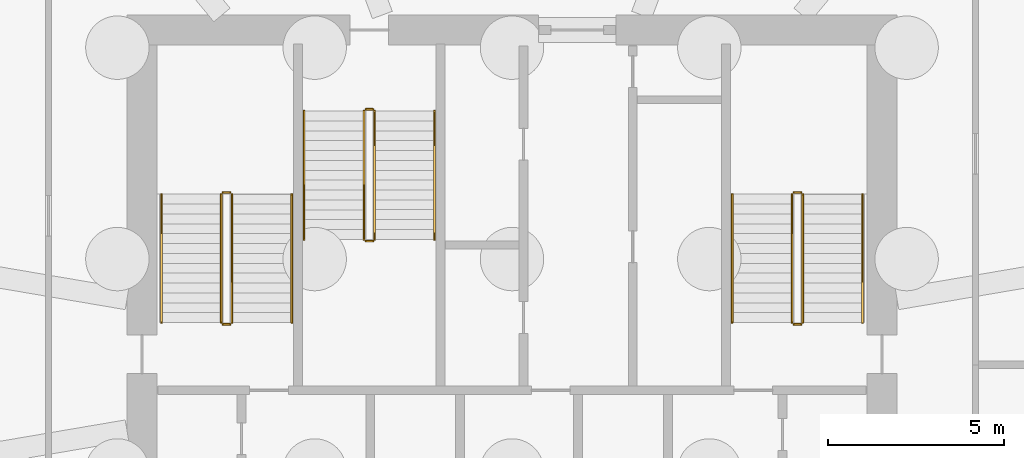
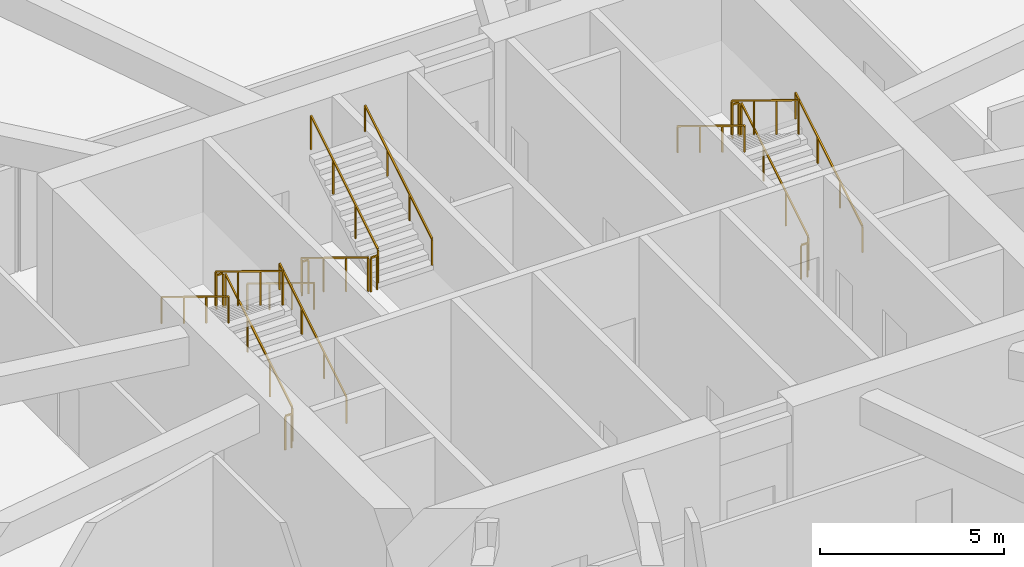
# One storey, part 5 of 5: 18 railings.
"""IFC4 building model written with IfcOpenShell, lengths in metres."""

from ifc_helpers import new_model, si_unit, direction, frame, origin, origin_2d, place, context, subcontext, project, spatial, rectangle, extrude, material, type_object, element, save


model = new_model("IFC4")

# Units and contexts
model_context = context("Model", 3, precision=1e-05, world=origin(), true_north=direction((0.0, 1.0)))
body_context = subcontext(model_context, "Body", "Model", "MODEL_VIEW")
ifc_project = project(units=[si_unit("LENGTHUNIT", "METRE"), si_unit("AREAUNIT", "SQUARE_METRE"), si_unit("VOLUMEUNIT", "CUBIC_METRE"), si_unit("PLANEANGLEUNIT", "RADIAN"), si_unit("MASSUNIT", "GRAM", prefix="KILO")], contexts=[model_context])

# Site, building, storey
site_placement = place(None, origin())
site = spatial("IfcSite", under=ifc_project, at=site_placement, CompositionType="ELEMENT")
building_placement = place(site_placement, origin())
building = spatial("IfcBuilding", under=site, at=building_placement, Name="Zuhravey Tower", CompositionType="ELEMENT")
storey_placement = place(building_placement, frame((0.0, 0.0, -9.60009765625)))
storey = spatial("IfcBuildingStorey", under=building, at=storey_placement, Name="B02", CompositionType="ELEMENT", Elevation=-9.60009765625)

# Railings
ifc_material_1 = material(Name="Brushed stainless steel", Category="steel")
railing_type_1 = type_object("IfcRailingType", Name="Stair Wall Handrail 900", PredefinedType="HANDRAIL", material=ifc_material_1)
railing_1_placement = place(storey_placement, frame((29.75, 33.199951171875, 0.171630859375)))
element("IfcRailing", 1, at=railing_1_placement, inside=storey, type_object=railing_type_1, Name="B02 ST1 stair handrail 1", PredefinedType="HANDRAIL", context=body_context, shape_type="SweptSolid", body=[
    extrude(rectangle(XDim=0.048095703125, YDim=0.048095703125, at=origin_2d()), frame((0.0, 0.001708984375, 0.876953125), z_axis=(0.0, 0.852865859571, 0.52213008492), x_axis=(-1.0, 0.0, 0.0)), (0.0, 0.0, 1.0), 4.26416015625),
    extrude(rectangle(XDim=0.0419921875, YDim=0.0419921875, at=origin_2d()), origin(), (0.0, 0.0, 1.0), 0.849853515625),
    extrude(rectangle(XDim=0.0419921875, YDim=0.0419921875, at=origin_2d()), frame((0.0, 1.21337890625, 0.742919921875)), (0.0, 0.0, 1.0), 0.849853515625),
    extrude(rectangle(XDim=0.0419921875, YDim=0.0419921875, at=origin_2d()), frame((0.0, 2.4267578125, 1.485595703125)), (0.0, 0.0, 1.0), 0.849853515625),
    extrude(rectangle(XDim=0.0419921875, YDim=0.0419921875, at=origin_2d()), frame((0.0, 3.64013671875, 2.228515625)), (0.0, 0.0, 1.0), 0.849853515625),
])
railing_2_placement = place(storey_placement, frame((26.050048828125, 36.840087890625, 2.571533203125)))
element("IfcRailing", 2, at=railing_2_placement, inside=storey, type_object=railing_type_1, Name="B02 ST1 stair handrail 2", PredefinedType="HANDRAIL", context=body_context, shape_type="SweptSolid", body=[
    extrude(rectangle(XDim=0.048095703125, YDim=0.048095703125, at=origin_2d()), frame((0.0, -0.001708984375, 0.876953125), z_axis=(0.0, -0.852865859571, 0.52213008492), x_axis=(1.0, 0.0, 0.0)), (0.0, 0.0, 1.0), 4.26416015625),
    extrude(rectangle(XDim=0.0419921875, YDim=0.0419921875, at=origin_2d()), origin(), (0.0, 0.0, 1.0), 0.849853515625),
    extrude(rectangle(XDim=0.0419921875, YDim=0.0419921875, at=origin_2d()), frame((0.0, -1.21337890625, 0.742919921875)), (0.0, 0.0, 1.0), 0.849853515625),
    extrude(rectangle(XDim=0.0419921875, YDim=0.0419921875, at=origin_2d()), frame((0.0, -2.4267578125, 1.485595703125)), (0.0, 0.0, 1.0), 0.849853515625),
    extrude(rectangle(XDim=0.0419921875, YDim=0.0419921875, at=origin_2d()), frame((0.0, -3.64013671875, 2.228515625)), (0.0, 0.0, 1.0), 0.849853515625),
])
railing_3_placement = place(storey_placement, frame((45.949951171875, 33.199951171875, 0.171630859375)))
element("IfcRailing", 3, at=railing_3_placement, inside=storey, type_object=railing_type_1, Name="B02 ST2 stair handrail 1", PredefinedType="HANDRAIL", context=body_context, shape_type="SweptSolid", body=[
    extrude(rectangle(XDim=0.048095703125, YDim=0.048095703125, at=origin_2d()), frame((0.0, 0.001708984375, 0.876953125), z_axis=(0.0, 0.852865859571, 0.52213008492), x_axis=(-1.0, 0.0, 0.0)), (0.0, 0.0, 1.0), 4.26416015625),
    extrude(rectangle(XDim=0.0419921875, YDim=0.0419921875, at=origin_2d()), origin(), (0.0, 0.0, 1.0), 0.849853515625),
    extrude(rectangle(XDim=0.0419921875, YDim=0.0419921875, at=origin_2d()), frame((0.0, 1.21337890625, 0.742919921875)), (0.0, 0.0, 1.0), 0.849853515625),
    extrude(rectangle(XDim=0.0419921875, YDim=0.0419921875, at=origin_2d()), frame((0.0, 2.4267578125, 1.485595703125)), (0.0, 0.0, 1.0), 0.849853515625),
    extrude(rectangle(XDim=0.0419921875, YDim=0.0419921875, at=origin_2d()), frame((0.0, 3.64013671875, 2.228515625)), (0.0, 0.0, 1.0), 0.849853515625),
])
railing_4_placement = place(storey_placement, frame((42.25, 36.840087890625, 2.571533203125)))
element("IfcRailing", 4, at=railing_4_placement, inside=storey, type_object=railing_type_1, Name="B02 ST2 stair handrail 2", PredefinedType="HANDRAIL", context=body_context, shape_type="SweptSolid", body=[
    extrude(rectangle(XDim=0.048095703125, YDim=0.048095703125, at=origin_2d()), frame((0.0, -0.001708984375, 0.876953125), z_axis=(0.0, -0.852865859571, 0.52213008492), x_axis=(1.0, 0.0, 0.0)), (0.0, 0.0, 1.0), 4.26416015625),
    extrude(rectangle(XDim=0.0419921875, YDim=0.0419921875, at=origin_2d()), origin(), (0.0, 0.0, 1.0), 0.849853515625),
    extrude(rectangle(XDim=0.0419921875, YDim=0.0419921875, at=origin_2d()), frame((0.0, -1.21337890625, 0.742919921875)), (0.0, 0.0, 1.0), 0.849853515625),
    extrude(rectangle(XDim=0.0419921875, YDim=0.0419921875, at=origin_2d()), frame((0.0, -2.4267578125, 1.485595703125)), (0.0, 0.0, 1.0), 0.849853515625),
    extrude(rectangle(XDim=0.0419921875, YDim=0.0419921875, at=origin_2d()), frame((0.0, -3.64013671875, 2.228515625)), (0.0, 0.0, 1.0), 0.849853515625),
])
railing_5_placement = place(storey_placement, frame((30.10009765625, 39.199951171875, 0.171630859375)))
element("IfcRailing", 5, at=railing_5_placement, inside=storey, type_object=railing_type_1, Name="B02 ST3 stair handrail 1", PredefinedType="HANDRAIL", context=body_context, shape_type="SweptSolid", body=[
    extrude(rectangle(XDim=0.048095703125, YDim=0.048095703125, at=origin_2d()), frame((0.0, -0.001708984375, 0.876953125), z_axis=(0.0, -0.852850264322, 0.5221555579), x_axis=(1.0, 0.0, 0.0)), (0.0, 0.0, 1.0), 4.263916015625),
    extrude(rectangle(XDim=0.0419921875, YDim=0.0419921875, at=origin_2d()), origin(), (0.0, 0.0, 1.0), 0.849853515625),
    extrude(rectangle(XDim=0.0419921875, YDim=0.0419921875, at=origin_2d()), frame((0.0, -1.21337890625, 0.742919921875)), (0.0, 0.0, 1.0), 0.849853515625),
    extrude(rectangle(XDim=0.0419921875, YDim=0.0419921875, at=origin_2d()), frame((0.0, -2.426513671875, 1.485595703125)), (0.0, 0.0, 1.0), 0.849853515625),
    extrude(rectangle(XDim=0.0419921875, YDim=0.0419921875, at=origin_2d()), frame((0.0, -3.639892578125, 2.228515625)), (0.0, 0.0, 1.0), 0.849853515625),
])
railing_6_placement = place(storey_placement, frame((33.800048828125, 35.56005859375, 2.571533203125)))
element("IfcRailing", 6, at=railing_6_placement, inside=storey, type_object=railing_type_1, Name="B02 ST3 stair handrail 2", PredefinedType="HANDRAIL", context=body_context, shape_type="SweptSolid", body=[
    extrude(rectangle(XDim=0.048095703125, YDim=0.048095703125, at=origin_2d()), frame((0.0, 0.001708984375, 0.876953125), z_axis=(0.0, 0.852850264322, 0.5221555579), x_axis=(-1.0, 0.0, 0.0)), (0.0, 0.0, 1.0), 4.263916015625),
    extrude(rectangle(XDim=0.0419921875, YDim=0.0419921875, at=origin_2d()), origin(), (0.0, 0.0, 1.0), 0.849853515625),
    extrude(rectangle(XDim=0.0419921875, YDim=0.0419921875, at=origin_2d()), frame((0.0, 1.21337890625, 0.742919921875)), (0.0, 0.0, 1.0), 0.849853515625),
    extrude(rectangle(XDim=0.0419921875, YDim=0.0419921875, at=origin_2d()), frame((0.0, 2.426513671875, 1.485595703125)), (0.0, 0.0, 1.0), 0.849853515625),
    extrude(rectangle(XDim=0.0419921875, YDim=0.0419921875, at=origin_2d()), frame((0.0, 3.639892578125, 2.228515625)), (0.0, 0.0, 1.0), 0.849853515625),
])
ifc_material_2 = material(Name="Painted tubular steel", Category="steel")
railing_type_2 = type_object("IfcRailingType", Name="Stair Well Guardrail 1150", PredefinedType="GUARDRAIL", material=ifc_material_2)
railing_7_placement = place(storey_placement, frame((28.050048828125, 33.199951171875, 0.171630859375)))
element("IfcRailing", 7, at=railing_7_placement, inside=storey, type_object=railing_type_2, Name="B02 ST1 stair guard 1", PredefinedType="GUARDRAIL", context=body_context, shape_type="SweptSolid", body=[
    extrude(rectangle(XDim=0.048095703125, YDim=0.048095703125, at=origin_2d()), frame((0.0, 0.001708984375, 1.126953125), z_axis=(0.0, 0.852865859571, 0.52213008492), x_axis=(-1.0, 0.0, 0.0)), (0.0, 0.0, 1.0), 4.26416015625),
    extrude(rectangle(XDim=0.0419921875, YDim=0.0419921875, at=origin_2d()), origin(), (0.0, 0.0, 1.0), 1.099853515625),
    extrude(rectangle(XDim=0.0419921875, YDim=0.0419921875, at=origin_2d()), frame((0.0, 1.21337890625, 0.742919921875)), (0.0, 0.0, 1.0), 1.099853515625),
    extrude(rectangle(XDim=0.0419921875, YDim=0.0419921875, at=origin_2d()), frame((0.0, 2.4267578125, 1.485595703125)), (0.0, 0.0, 1.0), 1.099853515625),
    extrude(rectangle(XDim=0.0419921875, YDim=0.0419921875, at=origin_2d()), frame((0.0, 3.64013671875, 2.228515625)), (0.0, 0.0, 1.0), 1.099853515625),
])
railing_8_placement = place(storey_placement, frame((28.0, 36.889892578125, 2.400146484375)))
element("IfcRailing", 8, at=railing_8_placement, inside=storey, type_object=railing_type_2, Name="B02 ST1 stair guard 2", PredefinedType="GUARDRAIL", context=body_context, shape_type="SweptSolid", body=[
    extrude(rectangle(XDim=0.048095703125, YDim=0.048095703125, at=origin_2d()), frame((-0.001953125, 0.0, 1.1259765625), z_axis=(-1.0, 0.0, 0.0), x_axis=(0.0, -1.0, 0.0)), (0.0, 0.0, 1.0), 0.196044921875),
    extrude(rectangle(XDim=0.0419921875, YDim=0.0419921875, at=origin_2d()), origin(), (0.0, 0.0, 1.0), 1.099853515625),
    extrude(rectangle(XDim=0.0419921875, YDim=0.0419921875, at=origin_2d()), frame((-0.199951171875, 0.0, 0.0)), (0.0, 0.0, 1.0), 1.099853515625),
])
railing_9_placement = place(storey_placement, frame((27.75, 36.840087890625, 2.571533203125)))
element("IfcRailing", 9, at=railing_9_placement, inside=storey, type_object=railing_type_2, Name="B02 ST1 stair guard 3", PredefinedType="GUARDRAIL", context=body_context, shape_type="SweptSolid", body=[
    extrude(rectangle(XDim=0.048095703125, YDim=0.048095703125, at=origin_2d()), frame((0.0, -0.001708984375, 1.126953125), z_axis=(0.0, -0.852865859571, 0.52213008492), x_axis=(1.0, 0.0, 0.0)), (0.0, 0.0, 1.0), 4.26416015625),
    extrude(rectangle(XDim=0.0419921875, YDim=0.0419921875, at=origin_2d()), origin(), (0.0, 0.0, 1.0), 1.099853515625),
    extrude(rectangle(XDim=0.0419921875, YDim=0.0419921875, at=origin_2d()), frame((0.0, -1.21337890625, 0.742919921875)), (0.0, 0.0, 1.0), 1.099853515625),
    extrude(rectangle(XDim=0.0419921875, YDim=0.0419921875, at=origin_2d()), frame((0.0, -2.4267578125, 1.485595703125)), (0.0, 0.0, 1.0), 1.099853515625),
    extrude(rectangle(XDim=0.0419921875, YDim=0.0419921875, at=origin_2d()), frame((0.0, -3.64013671875, 2.228515625)), (0.0, 0.0, 1.0), 1.099853515625),
])
railing_10_placement = place(storey_placement, frame((28.0, 33.14990234375, 0.0)))
element("IfcRailing", 10, at=railing_10_placement, inside=storey, type_object=railing_type_2, Name="B02 ST1 stair guard 4", PredefinedType="GUARDRAIL", context=body_context, shape_type="SweptSolid", body=[
    extrude(rectangle(XDim=0.048095703125, YDim=0.048095703125, at=origin_2d()), frame((-0.001953125, 0.0, 1.1259765625), z_axis=(-1.0, 0.0, 0.0), x_axis=(0.0, -1.0, 0.0)), (0.0, 0.0, 1.0), 0.196044921875),
    extrude(rectangle(XDim=0.0419921875, YDim=0.0419921875, at=origin_2d()), origin(), (0.0, 0.0, 1.0), 1.099853515625),
    extrude(rectangle(XDim=0.0419921875, YDim=0.0419921875, at=origin_2d()), frame((-0.199951171875, 0.0, 0.0)), (0.0, 0.0, 1.0), 1.099853515625),
])
railing_11_placement = place(storey_placement, frame((44.25, 33.199951171875, 0.171630859375)))
element("IfcRailing", 11, at=railing_11_placement, inside=storey, type_object=railing_type_2, Name="B02 ST2 stair guard 1", PredefinedType="GUARDRAIL", context=body_context, shape_type="SweptSolid", body=[
    extrude(rectangle(XDim=0.048095703125, YDim=0.048095703125, at=origin_2d()), frame((0.0, 0.001708984375, 1.126953125), z_axis=(0.0, 0.852865859571, 0.52213008492), x_axis=(-1.0, 0.0, 0.0)), (0.0, 0.0, 1.0), 4.26416015625),
    extrude(rectangle(XDim=0.0419921875, YDim=0.0419921875, at=origin_2d()), origin(), (0.0, 0.0, 1.0), 1.099853515625),
    extrude(rectangle(XDim=0.0419921875, YDim=0.0419921875, at=origin_2d()), frame((0.0, 1.21337890625, 0.742919921875)), (0.0, 0.0, 1.0), 1.099853515625),
    extrude(rectangle(XDim=0.0419921875, YDim=0.0419921875, at=origin_2d()), frame((0.0, 2.4267578125, 1.485595703125)), (0.0, 0.0, 1.0), 1.099853515625),
    extrude(rectangle(XDim=0.0419921875, YDim=0.0419921875, at=origin_2d()), frame((0.0, 3.64013671875, 2.228515625)), (0.0, 0.0, 1.0), 1.099853515625),
])
railing_12_placement = place(storey_placement, frame((44.199951171875, 36.889892578125, 2.400146484375)))
element("IfcRailing", 12, at=railing_12_placement, inside=storey, type_object=railing_type_2, Name="B02 ST2 stair guard 2", PredefinedType="GUARDRAIL", context=body_context, shape_type="SweptSolid", body=[
    extrude(rectangle(XDim=0.048095703125, YDim=0.048095703125, at=origin_2d()), frame((-0.001953125, 0.0, 1.1259765625), z_axis=(-1.0, 0.0, 0.0), x_axis=(0.0, -1.0, 0.0)), (0.0, 0.0, 1.0), 0.196044921875),
    extrude(rectangle(XDim=0.0419921875, YDim=0.0419921875, at=origin_2d()), origin(), (0.0, 0.0, 1.0), 1.099853515625),
    extrude(rectangle(XDim=0.0419921875, YDim=0.0419921875, at=origin_2d()), frame((-0.199951171875, 0.0, 0.0)), (0.0, 0.0, 1.0), 1.099853515625),
])
railing_13_placement = place(storey_placement, frame((43.949951171875, 36.840087890625, 2.571533203125)))
element("IfcRailing", 13, at=railing_13_placement, inside=storey, type_object=railing_type_2, Name="B02 ST2 stair guard 3", PredefinedType="GUARDRAIL", context=body_context, shape_type="SweptSolid", body=[
    extrude(rectangle(XDim=0.048095703125, YDim=0.048095703125, at=origin_2d()), frame((0.0, -0.001708984375, 1.126953125), z_axis=(0.0, -0.852865859571, 0.52213008492), x_axis=(1.0, 0.0, 0.0)), (0.0, 0.0, 1.0), 4.26416015625),
    extrude(rectangle(XDim=0.0419921875, YDim=0.0419921875, at=origin_2d()), origin(), (0.0, 0.0, 1.0), 1.099853515625),
    extrude(rectangle(XDim=0.0419921875, YDim=0.0419921875, at=origin_2d()), frame((0.0, -1.21337890625, 0.742919921875)), (0.0, 0.0, 1.0), 1.099853515625),
    extrude(rectangle(XDim=0.0419921875, YDim=0.0419921875, at=origin_2d()), frame((0.0, -2.4267578125, 1.485595703125)), (0.0, 0.0, 1.0), 1.099853515625),
    extrude(rectangle(XDim=0.0419921875, YDim=0.0419921875, at=origin_2d()), frame((0.0, -3.64013671875, 2.228515625)), (0.0, 0.0, 1.0), 1.099853515625),
])
railing_14_placement = place(storey_placement, frame((44.199951171875, 33.14990234375, 0.0)))
element("IfcRailing", 14, at=railing_14_placement, inside=storey, type_object=railing_type_2, Name="B02 ST2 stair guard 4", PredefinedType="GUARDRAIL", context=body_context, shape_type="SweptSolid", body=[
    extrude(rectangle(XDim=0.048095703125, YDim=0.048095703125, at=origin_2d()), frame((-0.001953125, 0.0, 1.1259765625), z_axis=(-1.0, 0.0, 0.0), x_axis=(0.0, -1.0, 0.0)), (0.0, 0.0, 1.0), 0.196044921875),
    extrude(rectangle(XDim=0.0419921875, YDim=0.0419921875, at=origin_2d()), origin(), (0.0, 0.0, 1.0), 1.099853515625),
    extrude(rectangle(XDim=0.0419921875, YDim=0.0419921875, at=origin_2d()), frame((-0.199951171875, 0.0, 0.0)), (0.0, 0.0, 1.0), 1.099853515625),
])
railing_15_placement = place(storey_placement, frame((31.800048828125, 39.199951171875, 0.171630859375)))
element("IfcRailing", 15, at=railing_15_placement, inside=storey, type_object=railing_type_2, Name="B02 ST3 stair guard 1", PredefinedType="GUARDRAIL", context=body_context, shape_type="SweptSolid", body=[
    extrude(rectangle(XDim=0.048095703125, YDim=0.048095703125, at=origin_2d()), frame((0.0, -0.001708984375, 1.126953125), z_axis=(0.0, -0.852850264322, 0.5221555579), x_axis=(1.0, 0.0, 0.0)), (0.0, 0.0, 1.0), 4.263916015625),
    extrude(rectangle(XDim=0.0419921875, YDim=0.0419921875, at=origin_2d()), origin(), (0.0, 0.0, 1.0), 1.099853515625),
    extrude(rectangle(XDim=0.0419921875, YDim=0.0419921875, at=origin_2d()), frame((0.0, -1.21337890625, 0.742919921875)), (0.0, 0.0, 1.0), 1.099853515625),
    extrude(rectangle(XDim=0.0419921875, YDim=0.0419921875, at=origin_2d()), frame((0.0, -2.426513671875, 1.485595703125)), (0.0, 0.0, 1.0), 1.099853515625),
    extrude(rectangle(XDim=0.0419921875, YDim=0.0419921875, at=origin_2d()), frame((0.0, -3.639892578125, 2.228515625)), (0.0, 0.0, 1.0), 1.099853515625),
])
railing_16_placement = place(storey_placement, frame((31.85009765625, 35.510009765625, 2.400146484375)))
element("IfcRailing", 16, at=railing_16_placement, inside=storey, type_object=railing_type_2, Name="B02 ST3 stair guard 2", PredefinedType="GUARDRAIL", context=body_context, shape_type="SweptSolid", body=[
    extrude(rectangle(XDim=0.048095703125, YDim=0.048095703125, at=origin_2d()), frame((0.001953125, 0.0, 1.1259765625), z_axis=(1.0, 0.0, 0.0), x_axis=(0.0, 1.0, 0.0)), (0.0, 0.0, 1.0), 0.196044921875),
    extrude(rectangle(XDim=0.0419921875, YDim=0.0419921875, at=origin_2d()), origin(), (0.0, 0.0, 1.0), 1.099853515625),
    extrude(rectangle(XDim=0.0419921875, YDim=0.0419921875, at=origin_2d()), frame((0.199951171875, 0.0, 0.0)), (0.0, 0.0, 1.0), 1.099853515625),
])
railing_17_placement = place(storey_placement, frame((32.10009765625, 35.56005859375, 2.571533203125)))
element("IfcRailing", 17, at=railing_17_placement, inside=storey, type_object=railing_type_2, Name="B02 ST3 stair guard 3", PredefinedType="GUARDRAIL", context=body_context, shape_type="SweptSolid", body=[
    extrude(rectangle(XDim=0.048095703125, YDim=0.048095703125, at=origin_2d()), frame((0.0, 0.001708984375, 1.126953125), z_axis=(0.0, 0.852850264322, 0.5221555579), x_axis=(-1.0, 0.0, 0.0)), (0.0, 0.0, 1.0), 4.263916015625),
    extrude(rectangle(XDim=0.0419921875, YDim=0.0419921875, at=origin_2d()), origin(), (0.0, 0.0, 1.0), 1.099853515625),
    extrude(rectangle(XDim=0.0419921875, YDim=0.0419921875, at=origin_2d()), frame((0.0, 1.21337890625, 0.742919921875)), (0.0, 0.0, 1.0), 1.099853515625),
    extrude(rectangle(XDim=0.0419921875, YDim=0.0419921875, at=origin_2d()), frame((0.0, 2.426513671875, 1.485595703125)), (0.0, 0.0, 1.0), 1.099853515625),
    extrude(rectangle(XDim=0.0419921875, YDim=0.0419921875, at=origin_2d()), frame((0.0, 3.639892578125, 2.228515625)), (0.0, 0.0, 1.0), 1.099853515625),
])
railing_18_placement = place(storey_placement, frame((31.85009765625, 39.25, 0.0)))
element("IfcRailing", 18, at=railing_18_placement, inside=storey, type_object=railing_type_2, Name="B02 ST3 stair guard 4", PredefinedType="GUARDRAIL", context=body_context, shape_type="SweptSolid", body=[
    extrude(rectangle(XDim=0.048095703125, YDim=0.048095703125, at=origin_2d()), frame((0.001953125, 0.0, 1.1259765625), z_axis=(1.0, 0.0, 0.0), x_axis=(0.0, 1.0, 0.0)), (0.0, 0.0, 1.0), 0.196044921875),
    extrude(rectangle(XDim=0.0419921875, YDim=0.0419921875, at=origin_2d()), origin(), (0.0, 0.0, 1.0), 1.099853515625),
    extrude(rectangle(XDim=0.0419921875, YDim=0.0419921875, at=origin_2d()), frame((0.199951171875, 0.0, 0.0)), (0.0, 0.0, 1.0), 1.099853515625),
])

save(model, "model.ifc")
